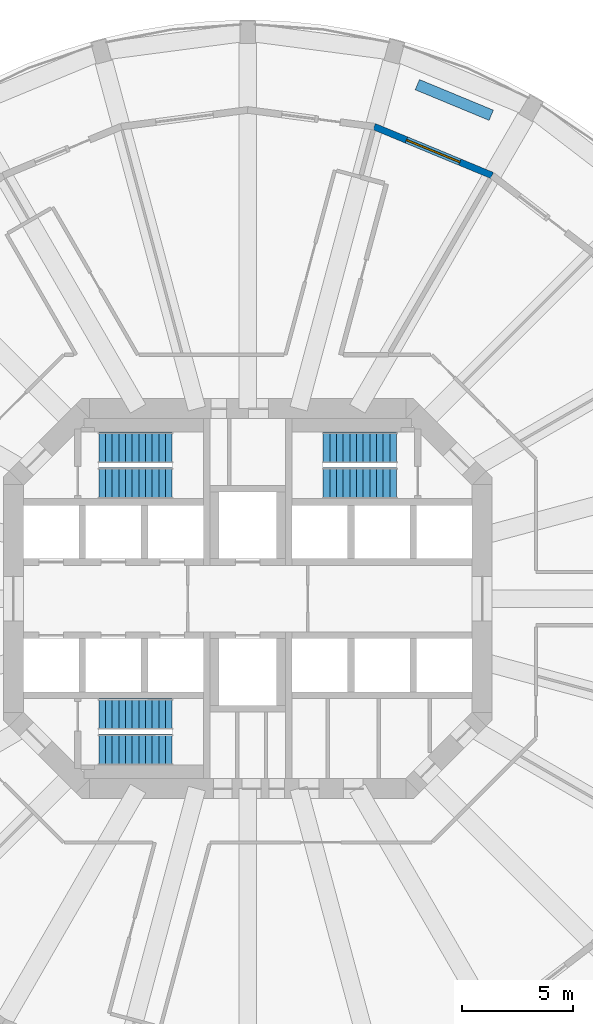
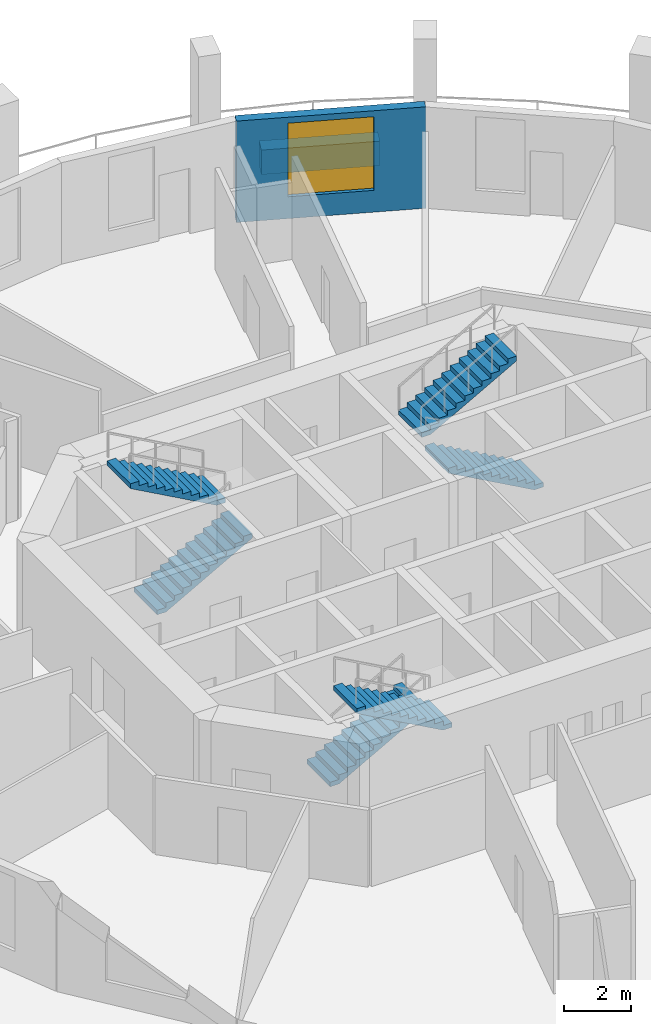
# One storey, part 7 of 9: 6 stair flights, 2 walls, 1 window, 1 opening, 3 elements without a shape of their own.
"""IFC4 building model written with IfcOpenShell, lengths in metres."""

from ifc_helpers import new_model, si_unit, direction, frame, frame_2d, origin, place, context, subcontext, project, spatial, polyline, rectangle, outline, extrude, material, layer, layer_set, type_object, element, fill, aggregate, save


model = new_model("IFC4")

# Units and contexts
model_context = context("Model", 3, precision=1e-05, world=origin(), true_north=direction((0.0, 1.0)))
body_context = subcontext(model_context, "Body", "Model", "MODEL_VIEW")
ifc_project = project(units=[si_unit("LENGTHUNIT", "METRE"), si_unit("AREAUNIT", "SQUARE_METRE"), si_unit("VOLUMEUNIT", "CUBIC_METRE"), si_unit("PLANEANGLEUNIT", "RADIAN"), si_unit("MASSUNIT", "GRAM", prefix="KILO")], contexts=[model_context])

# Site, building, storey
site_placement = place(None, origin())
site = spatial("IfcSite", under=ifc_project, at=site_placement, CompositionType="ELEMENT")
building_placement = place(site_placement, origin())
building = spatial("IfcBuilding", under=site, at=building_placement, Name="Torre Triforio", CompositionType="ELEMENT")
storey_placement = place(building_placement, frame((0.0, 0.0, 102.60009765625)))
storey = spatial("IfcBuildingStorey", under=building, at=storey_placement, Name="L22", CompositionType="ELEMENT", Elevation=102.60009765625)

# Wall
ifc_material_1 = material(Name="Limestone cladding", Category="masonry")
ifc_layer_1 = layer(ifc_material_1, 0.10009765625)
ifc_material_2 = material(Name="Concrete C40", Category="concrete")
ifc_layer_2 = layer(ifc_material_2, 0.39990234375)
ifc_layer_set_1 = layer_set([ifc_layer_1, ifc_layer_2], Name="Limestone cladding / Concrete C40")
wall_type_1 = type_object("IfcWallType", Name="Planter wall 500", PredefinedType="PARAPET", material=ifc_layer_set_1)
wall_1_placement = place(storey_placement, frame((10.962158203125, 21.761474609375, 0.0), z_axis=(0.0, 0.0, 1.0), x_axis=(-0.923875488976, 0.382693194178, 0.0)))
element("IfcWall", 1, at=wall_1_placement, inside=storey, type_object=wall_type_1, Name="Planter L22 bay 05", PredefinedType="PARAPET", context=body_context, shape_type="SweptSolid", body=[
    extrude(rectangle(XDim=3.599853515625, YDim=0.5, at=frame_2d((1.7998046875, 0.0))), origin(), (0.0, 0.0, 1.0), 0.89990234375),
])

# Wall, opening, window
ifc_layer_3 = layer(ifc_material_1, 0.10009765625)
ifc_layer_4 = layer(ifc_material_2, 0.199951171875)
ifc_layer_set_2 = layer_set([ifc_layer_3, ifc_layer_4], Name="Limestone cladding / Concrete C40")
wall_type_2 = type_object("IfcWallType", Name="Stone-faced composite wall 300", PredefinedType="STANDARD", material=ifc_layer_set_2)
wall_2_placement = place(storey_placement, frame((11.0, 19.052490234375, 0.0), z_axis=(0.0, 0.0, 1.0), x_axis=(-0.923866055759, 0.382715966503, 0.0)))
wall_2 = element("IfcWall", 2, at=wall_2_placement, inside=storey, type_object=wall_type_2, Name="External wall L22 bay 05", PredefinedType="STANDARD", context=body_context, shape_type="SweptSolid", body=[
    extrude(rectangle(XDim=5.7431640625, YDim=0.300048828125, at=frame_2d((2.87158203125, 0.0))), origin(), (0.0, 0.0, 1.0), 3.719970703125),
])
opening_placement = place(wall_2_placement, frame((1.571533203125, 0.0, 0.800048828125)))
opening = element("IfcOpeningElement", 3, at=opening_placement, cuts=wall_2, Name="Opening N7-W05", PredefinedType="OPENING", context=body_context, shape_type="SweptSolid", body=[
    extrude(rectangle(XDim=2.60009765625, YDim=2.699951171875, at=frame_2d((1.300048828125, 1.35009765625))), frame((0.0, 0.159912109375, 0.0), z_axis=(0.0, -1.0, 0.0), x_axis=(1.0, 0.0, 0.0)), (0.0, 0.0, 1.0), 0.320068359375),
])
ifc_material_3 = material(Name="Aluminium frame with clear double glazing", Category="aluminium")
window_type = type_object("IfcWindowType", Name="Punched window 2600 x 2700", PartitioningType="DOUBLE_PANEL_VERTICAL", PredefinedType="WINDOW", material=ifc_material_3)
window_placement = place(opening_placement, origin())
window = element("IfcWindow", 4, at=window_placement, inside=storey, type_object=window_type, Name="Window EWN2 L22 bay 05", OverallHeight=2.699951171875, OverallWidth=2.60009765625, PartitioningType="SINGLE_PANEL", PredefinedType="WINDOW", context=body_context, shape_type="SweptSolid", body=[
    extrude(rectangle(XDim=2.60009765625, YDim=2.699951171875, at=frame_2d((1.300048828125, 1.35009765625))), frame((0.0, 0.030029296875, 0.0), z_axis=(0.0, -1.0, 0.0), x_axis=(1.0, 0.0, 0.0)), (0.0, 0.0, 1.0), 0.06005859375),
])
fill(opening, window)

# Stair, stair flights
stair_type = type_object("IfcStairType", Name="STAIR HALF-TURN", PredefinedType="HALF_TURN_STAIR", material=ifc_material_2)
stair_1_placement = place(storey_placement, origin())
stair_1 = element("IfcStair", 5, at=stair_1_placement, inside=storey, type_object=stair_type, Name="Exit stair 1", PredefinedType="HALF_TURN_STAIR")
stair_flight_type = type_object("IfcStairFlightType", Name="STAIR FLIGHT 1400", PredefinedType="STRAIGHT", material=ifc_material_2)
stair_flight_1_placement = place(storey_placement, frame((-6.699951171875, 5.199951171875, 0.0), z_axis=(0.0, 0.0, 1.0), x_axis=(1.0, 0.0, 0.0)))
stair_flight_1 = element("IfcStairFlight", 6, at=stair_flight_1_placement, type_object=stair_flight_type, Name="ST1 flight 1", NumberOfRisers=12, NumberOfTreads=11, PredefinedType="STRAIGHT", RiserHeight=0.166666667, TreadLength=0.3, context=body_context, shape_type="SweptSolid", body=[
    extrude(outline(polyline([(0.0, 0.0), (0.0, 0.166748046875), (0.300048828125, 0.166748046875), (0.300048828125, 0.333251953125), (0.60009765625, 0.333251953125), (0.60009765625, 0.5), (0.89990234375, 0.5), (0.89990234375, 0.666748046875), (1.199951171875, 0.666748046875), (1.199951171875, 0.833251953125), (1.5, 0.833251953125), (1.5, 1.0), (1.800048828125, 1.0), (1.800048828125, 1.166748046875), (2.10009765625, 1.166748046875), (2.10009765625, 1.333251953125), (2.39990234375, 1.333251953125), (2.39990234375, 1.5), (2.699951171875, 1.5), (2.699951171875, 1.666748046875), (3.0, 1.666748046875), (3.0, 1.833251953125), (3.300048828125, 1.833251953125), (3.300048828125, 2.0), (3.300048828125, 1.661865234375), (0.30859375, 0.0), (0.0, 0.0)])), frame((0.0, 0.699951171875, 0.0), z_axis=(0.0, -1.0, 0.0), x_axis=(1.0, 0.0, 0.0)), (0.0, 0.0, 1.0), 1.39990234375),
])
stair_flight_2_placement = place(storey_placement, frame((-3.39990234375, 6.800048828125, 2.0), z_axis=(0.0, 0.0, 1.0), x_axis=(-1.0, 0.0, 0.0)))
stair_flight_2 = element("IfcStairFlight", 7, at=stair_flight_2_placement, type_object=stair_flight_type, Name="ST1 flight 2", NumberOfRisers=12, NumberOfTreads=11, PredefinedType="STRAIGHT", RiserHeight=0.166666667, TreadLength=0.3, context=body_context, shape_type="SweptSolid", body=[
    extrude(outline(polyline([(0.0, 0.0), (0.0, 0.166748046875), (0.300048828125, 0.166748046875), (0.300048828125, 0.333251953125), (0.60009765625, 0.333251953125), (0.60009765625, 0.5), (0.89990234375, 0.5), (0.89990234375, 0.666748046875), (1.199951171875, 0.666748046875), (1.199951171875, 0.833251953125), (1.5, 0.833251953125), (1.5, 1.0), (1.800048828125, 1.0), (1.800048828125, 1.166748046875), (2.10009765625, 1.166748046875), (2.10009765625, 1.333251953125), (2.39990234375, 1.333251953125), (2.39990234375, 1.5), (2.699951171875, 1.5), (2.699951171875, 1.666748046875), (3.0, 1.666748046875), (3.0, 1.833251953125), (3.300048828125, 1.833251953125), (3.300048828125, 2.0), (3.300048828125, 1.661865234375), (0.30859375, 0.0), (0.0, 0.0)])), frame((0.0, 0.699951171875, 0.0), z_axis=(0.0, -1.0, 0.0), x_axis=(1.0, 0.0, 0.0)), (0.0, 0.0, 1.0), 1.39990234375),
])
aggregate(stair_1, [stair_flight_1, stair_flight_2])

stair_2_placement = place(storey_placement, origin())
stair_2 = element("IfcStair", 8, at=stair_2_placement, inside=storey, type_object=stair_type, Name="Exit stair 2", PredefinedType="HALF_TURN_STAIR")
stair_flight_3_placement = place(storey_placement, frame((6.699951171875, 5.199951171875, 0.0), z_axis=(0.0, 0.0, 1.0), x_axis=(-1.0, 0.0, 0.0)))
stair_flight_3 = element("IfcStairFlight", 9, at=stair_flight_3_placement, type_object=stair_flight_type, Name="ST2 flight 1", NumberOfRisers=12, NumberOfTreads=11, PredefinedType="STRAIGHT", RiserHeight=0.166666667, TreadLength=0.3, context=body_context, shape_type="SweptSolid", body=[
    extrude(outline(polyline([(0.0, 0.0), (0.0, 0.166748046875), (0.300048828125, 0.166748046875), (0.300048828125, 0.333251953125), (0.60009765625, 0.333251953125), (0.60009765625, 0.5), (0.89990234375, 0.5), (0.89990234375, 0.666748046875), (1.199951171875, 0.666748046875), (1.199951171875, 0.833251953125), (1.5, 0.833251953125), (1.5, 1.0), (1.800048828125, 1.0), (1.800048828125, 1.166748046875), (2.10009765625, 1.166748046875), (2.10009765625, 1.333251953125), (2.39990234375, 1.333251953125), (2.39990234375, 1.5), (2.699951171875, 1.5), (2.699951171875, 1.666748046875), (3.0, 1.666748046875), (3.0, 1.833251953125), (3.300048828125, 1.833251953125), (3.300048828125, 2.0), (3.300048828125, 1.661865234375), (0.30859375, 0.0), (0.0, 0.0)])), frame((0.0, 0.699951171875, 0.0), z_axis=(0.0, -1.0, 0.0), x_axis=(1.0, 0.0, 0.0)), (0.0, 0.0, 1.0), 1.39990234375),
])
stair_flight_4_placement = place(storey_placement, frame((3.39990234375, 6.800048828125, 2.0), z_axis=(0.0, 0.0, 1.0), x_axis=(1.0, 0.0, 0.0)))
stair_flight_4 = element("IfcStairFlight", 10, at=stair_flight_4_placement, type_object=stair_flight_type, Name="ST2 flight 2", NumberOfRisers=12, NumberOfTreads=11, PredefinedType="STRAIGHT", RiserHeight=0.166666667, TreadLength=0.3, context=body_context, shape_type="SweptSolid", body=[
    extrude(outline(polyline([(0.0, 0.0), (0.0, 0.166748046875), (0.300048828125, 0.166748046875), (0.300048828125, 0.333251953125), (0.60009765625, 0.333251953125), (0.60009765625, 0.5), (0.89990234375, 0.5), (0.89990234375, 0.666748046875), (1.199951171875, 0.666748046875), (1.199951171875, 0.833251953125), (1.5, 0.833251953125), (1.5, 1.0), (1.800048828125, 1.0), (1.800048828125, 1.166748046875), (2.10009765625, 1.166748046875), (2.10009765625, 1.333251953125), (2.39990234375, 1.333251953125), (2.39990234375, 1.5), (2.699951171875, 1.5), (2.699951171875, 1.666748046875), (3.0, 1.666748046875), (3.0, 1.833251953125), (3.300048828125, 1.833251953125), (3.300048828125, 2.0), (3.300048828125, 1.661865234375), (0.30859375, 0.0), (0.0, 0.0)])), frame((0.0, 0.699951171875, 0.0), z_axis=(0.0, -1.0, 0.0), x_axis=(1.0, 0.0, 0.0)), (0.0, 0.0, 1.0), 1.39990234375),
])
aggregate(stair_2, [stair_flight_3, stair_flight_4])

stair_3_placement = place(storey_placement, origin())
stair_3 = element("IfcStair", 11, at=stair_3_placement, inside=storey, type_object=stair_type, Name="Exit stair 3", PredefinedType="HALF_TURN_STAIR")
stair_flight_5_placement = place(storey_placement, frame((-6.699951171875, -5.199951171875, 0.0), z_axis=(0.0, 0.0, 1.0), x_axis=(1.0, 0.0, 0.0)))
stair_flight_5 = element("IfcStairFlight", 12, at=stair_flight_5_placement, type_object=stair_flight_type, Name="ST3 flight 1", NumberOfRisers=12, NumberOfTreads=11, PredefinedType="STRAIGHT", RiserHeight=0.166666667, TreadLength=0.3, context=body_context, shape_type="SweptSolid", body=[
    extrude(outline(polyline([(0.0, 0.0), (0.0, 0.166748046875), (0.300048828125, 0.166748046875), (0.300048828125, 0.333251953125), (0.60009765625, 0.333251953125), (0.60009765625, 0.5), (0.89990234375, 0.5), (0.89990234375, 0.666748046875), (1.199951171875, 0.666748046875), (1.199951171875, 0.833251953125), (1.5, 0.833251953125), (1.5, 1.0), (1.800048828125, 1.0), (1.800048828125, 1.166748046875), (2.10009765625, 1.166748046875), (2.10009765625, 1.333251953125), (2.39990234375, 1.333251953125), (2.39990234375, 1.5), (2.699951171875, 1.5), (2.699951171875, 1.666748046875), (3.0, 1.666748046875), (3.0, 1.833251953125), (3.300048828125, 1.833251953125), (3.300048828125, 2.0), (3.300048828125, 1.661865234375), (0.30859375, 0.0), (0.0, 0.0)])), frame((0.0, 0.699951171875, 0.0), z_axis=(0.0, -1.0, 0.0), x_axis=(1.0, 0.0, 0.0)), (0.0, 0.0, 1.0), 1.39990234375),
])
stair_flight_6_placement = place(storey_placement, frame((-3.39990234375, -6.800048828125, 2.0), z_axis=(0.0, 0.0, 1.0), x_axis=(-1.0, 0.0, 0.0)))
stair_flight_6 = element("IfcStairFlight", 13, at=stair_flight_6_placement, type_object=stair_flight_type, Name="ST3 flight 2", NumberOfRisers=12, NumberOfTreads=11, PredefinedType="STRAIGHT", RiserHeight=0.166666667, TreadLength=0.3, context=body_context, shape_type="SweptSolid", body=[
    extrude(outline(polyline([(0.0, 0.0), (0.0, 0.166748046875), (0.300048828125, 0.166748046875), (0.300048828125, 0.333251953125), (0.60009765625, 0.333251953125), (0.60009765625, 0.5), (0.89990234375, 0.5), (0.89990234375, 0.666748046875), (1.199951171875, 0.666748046875), (1.199951171875, 0.833251953125), (1.5, 0.833251953125), (1.5, 1.0), (1.800048828125, 1.0), (1.800048828125, 1.166748046875), (2.10009765625, 1.166748046875), (2.10009765625, 1.333251953125), (2.39990234375, 1.333251953125), (2.39990234375, 1.5), (2.699951171875, 1.5), (2.699951171875, 1.666748046875), (3.0, 1.666748046875), (3.0, 1.833251953125), (3.300048828125, 1.833251953125), (3.300048828125, 2.0), (3.300048828125, 1.661865234375), (0.30859375, 0.0), (0.0, 0.0)])), frame((0.0, 0.699951171875, 0.0), z_axis=(0.0, -1.0, 0.0), x_axis=(1.0, 0.0, 0.0)), (0.0, 0.0, 1.0), 1.39990234375),
])
aggregate(stair_3, [stair_flight_5, stair_flight_6])

save(model, "model.ifc")
